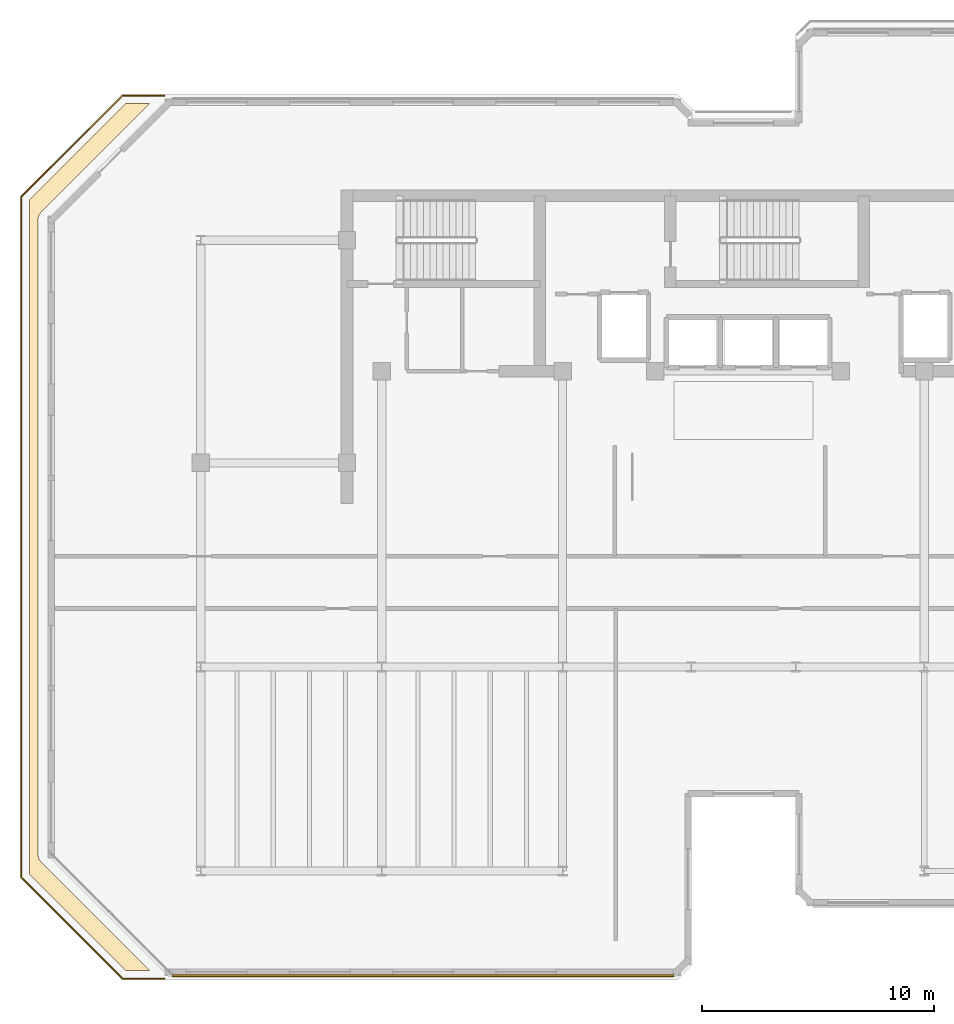
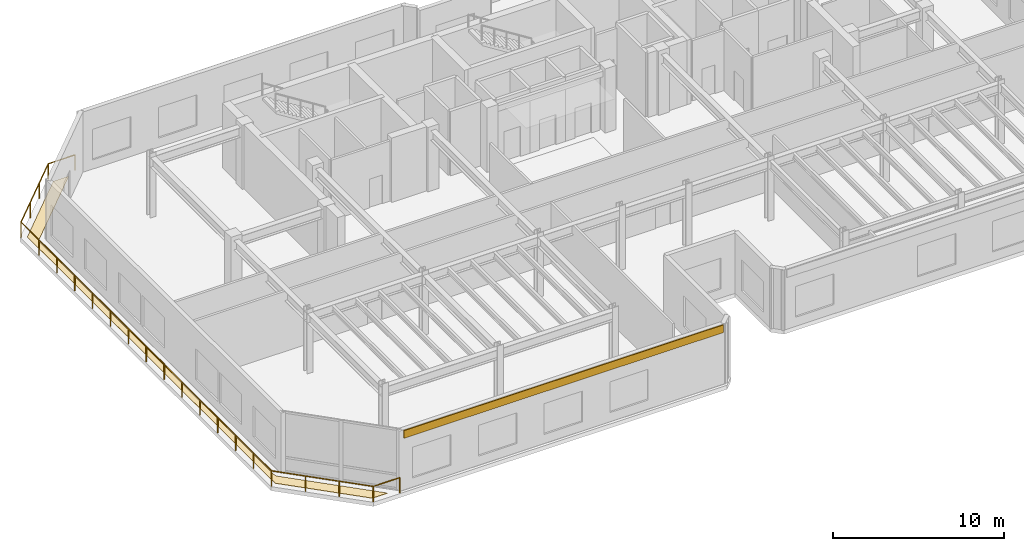
# One storey, part 10 of 14: 2 coverings, 1 railing.
"""IFC4 building model written with IfcOpenShell, lengths in metres."""

from ifc_helpers import new_model, si_unit, direction, frame, origin, origin_2d, place, context, subcontext, project, spatial, polyline, rectangle, circle, outline, extrude, material, layer, layer_set, type_object, element, save


model = new_model("IFC4")

# Units and contexts
model_context = context("Model", 3, precision=1e-05, world=origin(), true_north=direction((0.0, 1.0)))
body_context = subcontext(model_context, "Body", "Model", "MODEL_VIEW")
ifc_project = project(units=[si_unit("LENGTHUNIT", "METRE"), si_unit("AREAUNIT", "SQUARE_METRE"), si_unit("VOLUMEUNIT", "CUBIC_METRE"), si_unit("PLANEANGLEUNIT", "RADIAN"), si_unit("MASSUNIT", "GRAM", prefix="KILO")], contexts=[model_context])

# Site, building, storey
site_placement = place(None, origin())
site = spatial("IfcSite", under=ifc_project, at=site_placement, CompositionType="ELEMENT")
building_placement = place(site_placement, origin())
building = spatial("IfcBuilding", under=site, at=building_placement, Name="Kestravale Grand Hotel", CompositionType="ELEMENT")
storey_placement = place(building_placement, frame((0.0, 0.0, 297.39990234375)))
storey = spatial("IfcBuildingStorey", under=building, at=storey_placement, Name="L74", CompositionType="ELEMENT", Elevation=297.39990234375)

# Coverings
ifc_material_1 = material(Name="Warm limestone-toned fluted architectural precast cladding", Category="masonry")
ifc_layer_1 = layer(ifc_material_1, 0.074951171875)
ifc_layer_set_1 = layer_set([ifc_layer_1], Name="COV-CLAD-LIM")
covering_type_1 = type_object("IfcCoveringType", Name="COV-CLAD-LIM", PredefinedType="CLADDING", material=ifc_layer_set_1)
covering_1_placement = place(storey_placement, frame((25.175048828125, 6.68505859375, 3.73486328125), z_axis=(0.0, 0.0, 1.0), x_axis=(1.0, 0.0, 0.0)))
element("IfcCovering", 1, at=covering_1_placement, inside=storey, type_object=covering_type_1, Name="L74 fluted limestone spandrel cladding 1", PredefinedType="CLADDING", context=body_context, shape_type="SweptSolid", body=[
    extrude(rectangle(XDim=21.6298828125, YDim=0.074951171875, at=origin_2d()), origin(), (0.0, 0.0, 1.0), 0.550048828125),
])
ifc_material_2 = material(Name="TPO reflective roofing membrane and rigid mineral-wool insulation", Category="other")
ifc_layer_2 = layer(ifc_material_2, 0.1201171875)
ifc_layer_set_2 = layer_set([ifc_layer_2], Name="COV-ROOF-MEM")
covering_type_2 = type_object("IfcCoveringType", Name="COV-ROOF-MEM", PredefinedType="ROOFING", material=ifc_layer_set_2)
covering_2_placement = place(storey_placement, frame((0.0, 0.0, -0.039794921875)))
element("IfcCovering", 2, at=covering_2_placement, inside=storey, type_object=covering_type_2, Name="L74 terrace waterproof membrane assembly", PredefinedType="ROOFING", context=body_context, shape_type="SweptSolid", body=[
    extrude(outline(polyline([(13.406005859375, 6.89990234375), (12.36572265625, 6.89990234375), (8.199951171875, 11.065673828125), (8.199951171875, 40.13427734375), (12.36572265625, 44.300048828125), (13.406005859375, 44.300048828125), (8.703125, 39.596923828125), (8.70166015625, 39.595458984375), (8.677001953125, 39.568603515625), (8.65478515625, 39.539306640625), (8.65380859375, 39.53759765625), (8.638671875, 39.513916015625), (8.6376953125, 39.51220703125), (8.62890625, 39.49658203125), (8.6279296875, 39.494873046875), (8.612548828125, 39.462158203125), (8.60009765625, 39.42822265625), (8.599609375, 39.42626953125), (8.593994140625, 39.40771484375), (8.593505859375, 39.40576171875), (8.585205078125, 39.3662109375), (8.5849609375, 39.364501953125), (8.58056640625, 39.322021484375), (8.58056640625, 39.320068359375), (8.580078125, 39.300048828125), (8.580078125, 11.89990234375), (8.58056640625, 11.8798828125), (8.58056640625, 11.8779296875), (8.5849609375, 11.835693359375), (8.585205078125, 11.833740234375), (8.593505859375, 11.794189453125), (8.593994140625, 11.79248046875), (8.599609375, 11.773681640625), (8.60009765625, 11.771728515625), (8.612548828125, 11.73779296875), (8.6279296875, 11.705078125), (8.62890625, 11.703369140625), (8.6376953125, 11.687744140625), (8.638671875, 11.68603515625), (8.65380859375, 11.662353515625), (8.65478515625, 11.66064453125), (8.677001953125, 11.631591796875), (8.70166015625, 11.6044921875), (13.406005859375, 6.89990234375)])), origin(), (0.0, 0.0, 1.0), 0.039794921875),
])

# Railing
ifc_material_3 = material(Name="Champagne-bronze stainless steel and laminated glass guard", Category="steel")
railing_type = type_object("IfcRailingType", Name="RL-EXT-1100", PredefinedType="GUARDRAIL", material=ifc_material_3)
railing_placement = place(storey_placement, frame((14.02880859375, 6.56005859375, 0.0)))
element("IfcRailing", 3, at=railing_placement, inside=storey, type_object=railing_type, Name="L74 outdoor terrace guard 1", PredefinedType="GUARDRAIL", context=body_context, shape_type="SweptSolid", body=[
    extrude(circle(Radius=0.02392578125, at=origin_2d()), frame((0.0, 0.0, 1.09619140625), z_axis=(-1.0, 0.0, 0.0), x_axis=(0.0, -1.0, 0.0)), (0.0, 0.0, 1.0), 1.803955078125),
    extrude(circle(Radius=0.02392578125, at=origin_2d()), frame((-1.803955078125, 0.0, 1.09619140625), z_axis=(-0.707106781187, 0.707106781187, 0.0), x_axis=(-0.707106781187, -0.707106781187, 0.0)), (0.0, 0.0, 1.0), 6.172607421875),
    extrude(circle(Radius=0.02392578125, at=origin_2d()), frame((-6.168701171875, 4.36474609375, 1.09619140625), z_axis=(0.0, 1.0, 0.0), x_axis=(-1.0, 0.0, 0.0)), (0.0, 0.0, 1.0), 29.350341796875),
    extrude(circle(Radius=0.02392578125, at=origin_2d()), frame((-6.168701171875, 33.715087890625, 1.09619140625), z_axis=(0.707106781187, 0.707106781187, 0.0), x_axis=(-0.707106781187, 0.707106781187, 0.0)), (0.0, 0.0, 1.0), 6.172607421875),
    extrude(circle(Radius=0.02392578125, at=origin_2d()), frame((-1.803955078125, 38.079833984375, 1.09619140625), z_axis=(1.0, 0.0, 0.0), x_axis=(0.0, 1.0, 0.0)), (0.0, 0.0, 1.0), 1.803955078125),
    extrude(circle(Radius=0.02099609375, at=origin_2d()), origin(), (0.0, 0.0, 1.0), 1.072021484375),
    extrude(circle(Radius=0.02099609375, at=origin_2d()), frame((-1.803955078125, 0.0, 0.0)), (0.0, 0.0, 1.0), 1.072021484375),
    extrude(circle(Radius=0.02099609375, at=origin_2d()), frame((-3.2587890625, 1.454833984375, 0.0)), (0.0, 0.0, 1.0), 1.072021484375),
    extrude(circle(Radius=0.02099609375, at=origin_2d()), frame((-4.7138671875, 2.909912109375, 0.0)), (0.0, 0.0, 1.0), 1.072021484375),
    extrude(circle(Radius=0.02099609375, at=origin_2d()), frame((-6.168701171875, 4.36474609375, 0.0)), (0.0, 0.0, 1.0), 1.072021484375),
    extrude(circle(Radius=0.02099609375, at=origin_2d()), frame((-6.168701171875, 6.461181640625, 0.0)), (0.0, 0.0, 1.0), 1.072021484375),
    extrude(circle(Radius=0.02099609375, at=origin_2d()), frame((-6.168701171875, 8.5576171875, 0.0)), (0.0, 0.0, 1.0), 1.072021484375),
    extrude(circle(Radius=0.02099609375, at=origin_2d()), frame((-6.168701171875, 10.654052734375, 0.0)), (0.0, 0.0, 1.0), 1.072021484375),
    extrude(circle(Radius=0.02099609375, at=origin_2d()), frame((-6.168701171875, 12.75048828125, 0.0)), (0.0, 0.0, 1.0), 1.072021484375),
    extrude(circle(Radius=0.02099609375, at=origin_2d()), frame((-6.168701171875, 14.846923828125, 0.0)), (0.0, 0.0, 1.0), 1.072021484375),
    extrude(circle(Radius=0.02099609375, at=origin_2d()), frame((-6.168701171875, 16.943359375, 0.0)), (0.0, 0.0, 1.0), 1.072021484375),
    extrude(circle(Radius=0.02099609375, at=origin_2d()), frame((-6.168701171875, 19.0400390625, 0.0)), (0.0, 0.0, 1.0), 1.072021484375),
    extrude(circle(Radius=0.02099609375, at=origin_2d()), frame((-6.168701171875, 21.136474609375, 0.0)), (0.0, 0.0, 1.0), 1.072021484375),
    extrude(circle(Radius=0.02099609375, at=origin_2d()), frame((-6.168701171875, 23.23291015625, 0.0)), (0.0, 0.0, 1.0), 1.072021484375),
    extrude(circle(Radius=0.02099609375, at=origin_2d()), frame((-6.168701171875, 25.329345703125, 0.0)), (0.0, 0.0, 1.0), 1.072021484375),
    extrude(circle(Radius=0.02099609375, at=origin_2d()), frame((-6.168701171875, 27.42578125, 0.0)), (0.0, 0.0, 1.0), 1.072021484375),
    extrude(circle(Radius=0.02099609375, at=origin_2d()), frame((-6.168701171875, 29.522216796875, 0.0)), (0.0, 0.0, 1.0), 1.072021484375),
    extrude(circle(Radius=0.02099609375, at=origin_2d()), frame((-6.168701171875, 31.61865234375, 0.0)), (0.0, 0.0, 1.0), 1.072021484375),
    extrude(circle(Radius=0.02099609375, at=origin_2d()), frame((-6.168701171875, 33.715087890625, 0.0)), (0.0, 0.0, 1.0), 1.072021484375),
    extrude(circle(Radius=0.02099609375, at=origin_2d()), frame((-4.7138671875, 35.169921875, 0.0)), (0.0, 0.0, 1.0), 1.072021484375),
    extrude(circle(Radius=0.02099609375, at=origin_2d()), frame((-3.2587890625, 36.625, 0.0)), (0.0, 0.0, 1.0), 1.072021484375),
    extrude(circle(Radius=0.02099609375, at=origin_2d()), frame((-1.803955078125, 38.079833984375, 0.0)), (0.0, 0.0, 1.0), 1.072021484375),
    extrude(circle(Radius=0.02099609375, at=origin_2d()), frame((0.0, 38.079833984375, 0.0)), (0.0, 0.0, 1.0), 1.072021484375),
])

save(model, "model.ifc")
